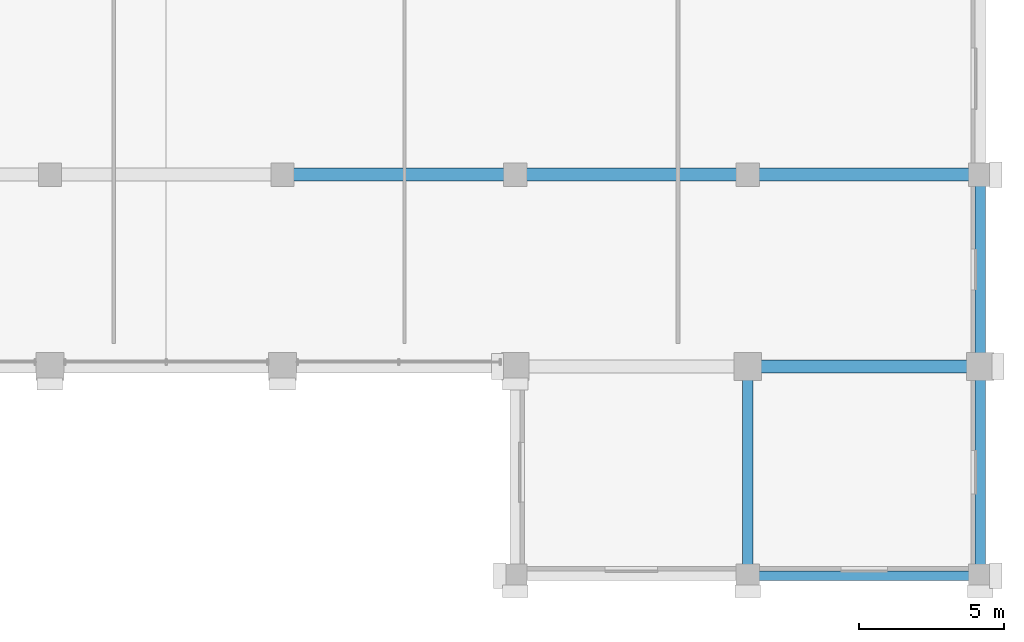
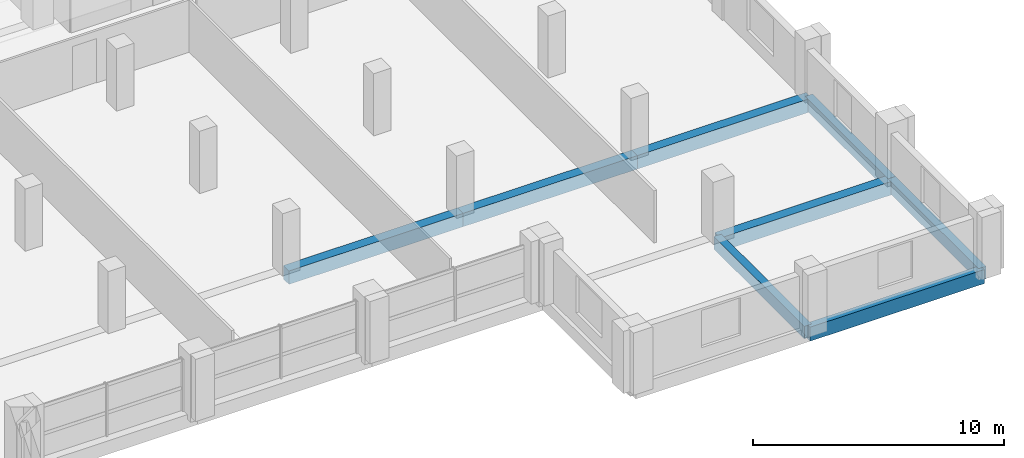
# One storey, part 8 of 23: 8 beams.
"""IFC4 building model written with IfcOpenShell, lengths in metres."""

import ifcopenshell
import ifcopenshell.guid

model = None  # the IFC model being written
_history = None  # IfcOwnerHistory: only IFC2X3 demands one
_inside = {}  # id of a spatial element -> (the spatial element, [elements in it])
_under = {}  # id of a project, library or spatial element -> (it, [spatial elements below it])
_declared = {}  # id of a project -> (the project, [libraries it declares])
_typed = {}  # id of a type object -> (the type object, [elements of that type])
_made_of = {}  # id of a material, layer set ... -> (it, [elements and type objects made of it])


def new_model(schema):
    """Start an empty IFC model of exactly this schema.

    Asked for "IFC4X3", IfcOpenShell would pick the latest addendum, in which some entities
    have other attributes; the version numbers below select the first issue.
    IFC2X3 requires an IfcOwnerHistory on every rooted entity: one is made here for all.
    """
    global model, _history
    if schema == "IFC4X3":
        model = ifcopenshell.file(schema_version=(4, 3, 0, 0))
    else:
        model = ifcopenshell.file(schema=schema)
    _inside.clear()
    _under.clear()
    _declared.clear()
    _typed.clear()
    _made_of.clear()
    _history = None
    if model.schema == "IFC2X3":
        org = make("IfcOrganization", Name="unknown")
        user = make(
            "IfcPersonAndOrganization",
            ThePerson=make("IfcPerson", FamilyName="unknown"),
            TheOrganization=org,
        )
        app = make(
            "IfcApplication",
            ApplicationDeveloper=org,
            Version="unknown",
            ApplicationFullName="unknown",
            ApplicationIdentifier="unknown",
        )
        _history = make(
            "IfcOwnerHistory",
            OwningUser=user,
            OwningApplication=app,
            ChangeAction="ADDED",
            CreationDate=0,
        )
    return model


def make(cls, **values):
    """One entity of the class cls with the attributes given. An attribute that is None is left unset."""
    return model.create_entity(
        cls, **{name: value for name, value in values.items() if value is not None}
    )


def rooted(cls, **values):
    """An entity with a GlobalId (a new one), such as an element, a storey or a relation."""
    return make(cls, GlobalId=ifcopenshell.guid.new(), OwnerHistory=_history, **values)


def si_unit(unit_type, name, prefix=None):
    """IfcSIUnit, for example si_unit("LENGTHUNIT", "METRE", prefix="MILLI")."""
    return make("IfcSIUnit", UnitType=unit_type, Prefix=prefix, Name=name)


def assignment(units):
    """IfcUnitAssignment: the units of a project."""
    return None if units is None else make("IfcUnitAssignment", Units=units)


def point(xyz):
    """IfcCartesianPoint."""
    return None if xyz is None else make("IfcCartesianPoint", Coordinates=xyz)


def direction(xyz):
    """IfcDirection."""
    return None if xyz is None else make("IfcDirection", DirectionRatios=xyz)


def frame(location, z_axis=None, x_axis=None):
    """IfcAxis2Placement3D, a coordinate frame: its origin and axes. An axis left out is left unset."""
    return make(
        "IfcAxis2Placement3D",
        Location=point(location),
        Axis=direction(z_axis),
        RefDirection=direction(x_axis),
    )


def frame_2d(location, x_axis=None):
    """IfcAxis2Placement2D, a coordinate frame in the plane: its origin and x axis."""
    return make(
        "IfcAxis2Placement2D", Location=point(location), RefDirection=direction(x_axis)
    )


def origin():
    """The frame at (0, 0, 0) with its axes left unset."""
    return frame((0.0, 0.0, 0.0))


def origin_2d():
    """The frame at (0, 0) in the plane with its x axis left unset."""
    return frame_2d((0.0, 0.0))


def place(relative_to, where):
    """IfcLocalPlacement: puts the frame where relative to a parent placement (None: the world)."""
    return make(
        "IfcLocalPlacement", PlacementRelTo=relative_to, RelativePlacement=where
    )


def context(
    kind, dimensions, precision=None, world=None, true_north=None, identifier=None
):
    """IfcGeometricRepresentationContext, for example the 3D "Model" context."""
    return make(
        "IfcGeometricRepresentationContext",
        ContextIdentifier=identifier,
        ContextType=kind,
        CoordinateSpaceDimension=dimensions,
        Precision=precision,
        WorldCoordinateSystem=world,
        TrueNorth=true_north,
    )


def subcontext(parent, identifier, kind, view, scale=None):
    """IfcGeometricRepresentationSubContext, for example "Body" below "Model"."""
    return make(
        "IfcGeometricRepresentationSubContext",
        ContextIdentifier=identifier,
        ContextType=kind,
        ParentContext=parent,
        TargetScale=scale,
        TargetView=view,
    )


def project(units=None, contexts=None):
    """IfcProject with its units and contexts."""
    return rooted(
        "IfcProject",
        Name="project",
        RepresentationContexts=contexts,
        UnitsInContext=assignment(units),
    )


def spatial(cls, under=None, at=None, **own):
    """A site, building, storey or space (cls), placed at a placement, below another one or the project."""
    s = rooted(cls, ObjectPlacement=at, **own)
    if under is not None:
        _under.setdefault(under.id(), (under, []))[1].append(s)
    return s


def profile(cls, at=None, kind="AREA", **sizes):
    """A parametric profile (cls). Its sizes go by their IFC names, for example OverallWidth=200.0."""
    return make(cls, ProfileType=kind, Position=at, **sizes)


def rectangle(**sizes):
    """IfcRectangleProfileDef."""
    return profile("IfcRectangleProfileDef", **sizes)


def extrude(swept, where, along, depth):
    """IfcExtrudedAreaSolid: the profile swept, set in the frame where, extruded along a direction by depth."""
    return make(
        "IfcExtrudedAreaSolid",
        SweptArea=swept,
        Position=where,
        ExtrudedDirection=direction(along),
        Depth=depth,
    )


def shape(context_of_items, identifier, shape_type, items):
    """IfcShapeRepresentation: the items that make up one representation, for example the "Body"."""
    return make(
        "IfcShapeRepresentation",
        ContextOfItems=context_of_items,
        RepresentationIdentifier=identifier,
        RepresentationType=shape_type,
        Items=items,
    )


def material(Name=None, Category=None):
    """IfcMaterial."""
    return make("IfcMaterial", Name=Name, Category=Category)


def material_profile(
    of_material, cross_section, Name=None, Category=None, Priority=None
):
    """IfcMaterialProfile: a cross section and its material."""
    return make(
        "IfcMaterialProfile",
        Name=Name,
        Material=of_material,
        Profile=cross_section,
        Priority=Priority,
        Category=Category,
    )


def profile_set(profiles, Name=None, composite=None):
    """IfcMaterialProfileSet."""
    return make(
        "IfcMaterialProfileSet",
        Name=Name,
        MaterialProfiles=profiles,
        CompositeProfile=composite,
    )


def made_of(thing, what):
    """Note that an element or type object is made of a material, layer set ...; save() writes the relation."""
    if what is not None:
        _made_of.setdefault(what.id(), (what, []))[1].append(thing)
    return thing


def type_object(cls, material=None, **own):
    """A type object (cls), such as IfcWallType, which elements share."""
    return made_of(rooted(cls, **own), material)


def element(
    cls,
    number,
    at=None,
    inside=None,
    cuts=None,
    type_object=None,
    material=None,
    context=None,
    identifier="Body",
    shape_type=None,
    held_by="IfcProductDefinitionShape",
    body=None,
    shapes=None,
    **own,
):
    """One element of the class cls, such as IfcWall. Its Tag is "e" and its number.

    at: its placement. inside: the storey or other place that contains it. cuts: it is an
    opening in that element (IfcRelVoidsElement). A single representation is given by context,
    identifier, shape_type and body (its items); several are given by shapes. held_by: the class
    of the entity that holds the representations. save() writes the other relations.
    """
    e = rooted(cls, Tag="e%d" % number, ObjectPlacement=at, **own)
    if body is not None:
        shapes = [shape(context, identifier, shape_type, body)]
    if shapes is not None:
        e.Representation = make(held_by, Representations=shapes)
    if inside is not None:
        _inside.setdefault(inside.id(), (inside, []))[1].append(e)
    if cuts is not None:
        rooted(
            "IfcRelVoidsElement", RelatingBuildingElement=cuts, RelatedOpeningElement=e
        )
    if type_object is not None:
        _typed.setdefault(type_object.id(), (type_object, []))[1].append(e)
    return made_of(e, material)


def aggregate(whole, parts):
    """IfcRelAggregates: a whole, such as a stair, and the parts it consists of."""
    return rooted("IfcRelAggregates", RelatingObject=whole, RelatedObjects=parts)


def save(model, path):
    """Write the relations noted so far, then the file.

    IfcRelAggregates (storeys below a building ...), IfcRelContainedInSpatialStructure (elements
    in a storey), IfcRelDefinesByType, IfcRelAssociatesMaterial and IfcRelDeclares: one each for
    every whole, place, type object, material and project.
    """
    for whole, parts in _under.values():
        aggregate(whole, parts)
    for where, things in _inside.values():
        rooted(
            "IfcRelContainedInSpatialStructure",
            RelatedElements=things,
            RelatingStructure=where,
        )
    for kind, things in _typed.values():
        rooted("IfcRelDefinesByType", RelatedObjects=things, RelatingType=kind)
    for what, things in _made_of.values():
        rooted("IfcRelAssociatesMaterial", RelatedObjects=things, RelatingMaterial=what)
    for by, libraries in _declared.values():
        rooted("IfcRelDeclares", RelatingContext=by, RelatedDefinitions=libraries)
    model.write(path)


model = new_model("IFC4")

# Units and contexts
model_context = context("Model", 3, precision=1e-05, world=origin(), true_north=direction((0.0, 1.0)))
body_context = subcontext(model_context, "Body", "Model", "MODEL_VIEW")
ifc_project = project(units=[si_unit("LENGTHUNIT", "METRE"), si_unit("AREAUNIT", "SQUARE_METRE"), si_unit("VOLUMEUNIT", "CUBIC_METRE"), si_unit("PLANEANGLEUNIT", "RADIAN"), si_unit("MASSUNIT", "GRAM", prefix="KILO")], contexts=[model_context])

# Site, building, storey
site_placement = place(None, origin())
site = spatial("IfcSite", under=ifc_project, at=site_placement, CompositionType="ELEMENT")
building_placement = place(site_placement, origin())
building = spatial("IfcBuilding", under=site, at=building_placement, Name="Akrevak Sports Hall", CompositionType="ELEMENT")
storey_placement = place(building_placement, frame((0.0, 0.0, 47.050048828125)))
storey = spatial("IfcBuildingStorey", under=building, at=storey_placement, Name="L11", CompositionType="ELEMENT", Elevation=47.050048828125)

# Beams
ifc_material = material(Name="Concrete C40/50", Category="concrete")
ifc_material_profile_1 = material_profile(ifc_material, rectangle(XDim=0.35009765625, YDim=0.60009765625, at=origin_2d()), Name="BM 350x600", Category="concrete")
ifc_profile_set_1 = profile_set([ifc_material_profile_1], Name="Concrete C40/50")
beam_type_1 = type_object("IfcBeamType", Name="STR-BM-RC350x600", PredefinedType="BEAM", material=ifc_profile_set_1)
for number, where, z_axis, x_axis, name in (
    (1, (100.0, 21.60009765625, -0.300048828125), (0.0, 1.0, 0.0), (-1.0, 0.0, 0.0), "Girder 14/D-E (L11)"),
    (2, (108.0, 21.60009765625, -0.300048828125), (0.0, 1.0, 0.0), (-1.0, 0.0, 0.0), "Girder 15/D-E (L11)"),
):
    element("IfcBeam", number, at=place(storey_placement, frame(where, z_axis=z_axis, x_axis=x_axis)), inside=storey, type_object=beam_type_1, Name=name, PredefinedType="BEAM", context=body_context, shape_type="SweptSolid", body=[
        extrude(rectangle(XDim=0.35009765625, YDim=0.60009765625, at=origin_2d()), origin(), (0.0, 0.0, 1.0), 7.199951171875),
    ])
beam_1_placement = place(storey_placement, frame((108.0, 28.800048828125, -0.300048828125), z_axis=(0.0, 1.0, 0.0), x_axis=(-1.0, 0.0, 0.0)))
element("IfcBeam", 3, at=beam_1_placement, inside=storey, type_object=beam_type_1, Name="Girder 15/E-F (L11)", PredefinedType="BEAM", context=body_context, shape_type="SweptSolid", body=[
    extrude(rectangle(XDim=0.35009765625, YDim=0.60009765625, at=origin_2d()), origin(), (0.0, 0.0, 1.0), 6.599853515625),
])
ifc_material_profile_2 = material_profile(ifc_material, rectangle(XDim=0.449951171875, YDim=0.64990234375, at=origin_2d()), Name="BM 450x650", Category="concrete")
ifc_profile_set_2 = profile_set([ifc_material_profile_2], Name="Concrete C40/50")
beam_type_2 = type_object("IfcBeamType", Name="STR-BM-RC450x650", PredefinedType="BEAM", material=ifc_profile_set_2)
for number, where, z_axis, x_axis, name in (
    (4, (100.0, 28.800048828125, -0.324951171875), (1.0, 0.0, 0.0), (0.0, 1.0, 0.0), "Girder E/14-15 (L11)"),
    (5, (84.0, 35.39990234375, -0.324951171875), (1.0, 0.0, 0.0), (0.0, 1.0, 0.0), "Girder F/12-13 (L11)"),
    (6, (92.0, 35.39990234375, -0.324951171875), (1.0, 0.0, 0.0), (0.0, 1.0, 0.0), "Girder F/13-14 (L11)"),
    (7, (100.0, 35.39990234375, -0.324951171875), (1.0, 0.0, 0.0), (0.0, 1.0, 0.0), "Girder F/14-15 (L11)"),
):
    element("IfcBeam", number, at=place(storey_placement, frame(where, z_axis=z_axis, x_axis=x_axis)), inside=storey, type_object=beam_type_2, Name=name, PredefinedType="BEAM", context=body_context, shape_type="SweptSolid", body=[
        extrude(rectangle(XDim=0.449951171875, YDim=0.64990234375, at=origin_2d()), origin(), (0.0, 0.0, 1.0), 8.0),
    ])
ifc_material_profile_3 = material_profile(ifc_material, rectangle(XDim=0.320068359375, YDim=0.679931640625, at=origin_2d()), Name="SPD 320x680", Category="concrete")
ifc_profile_set_3 = profile_set([ifc_material_profile_3], Name="Concrete C40/50")
beam_type_3 = type_object("IfcBeamType", Name="STR-SPD-RC320x680", PredefinedType="SPANDREL", material=ifc_profile_set_3)
beam_2_placement = place(storey_placement, frame((100.0, 21.60009765625, -0.340087890625), z_axis=(1.0, 0.0, 0.0), x_axis=(0.0, 1.0, 0.0)))
element("IfcBeam", 8, at=beam_2_placement, inside=storey, type_object=beam_type_3, Name="Girder D/14-15 (L11)", PredefinedType="SPANDREL", context=body_context, shape_type="SweptSolid", body=[
    extrude(rectangle(XDim=0.320068359375, YDim=0.679931640625, at=origin_2d()), origin(), (0.0, 0.0, 1.0), 8.0),
])

save(model, "model.ifc")
